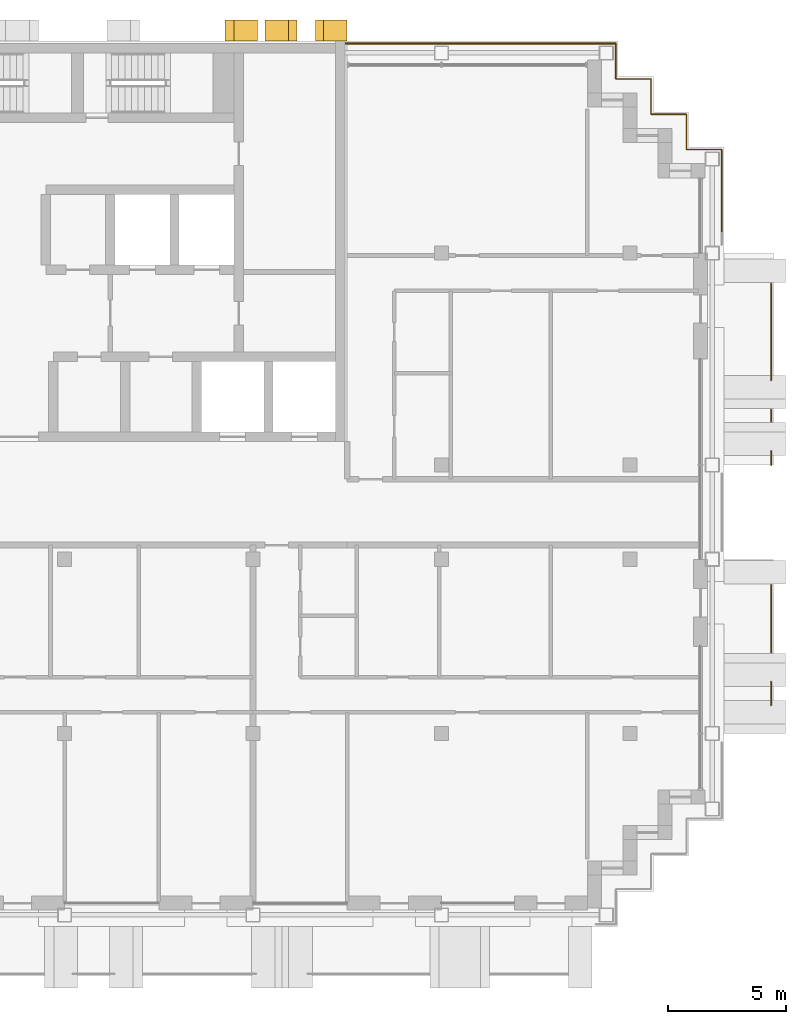
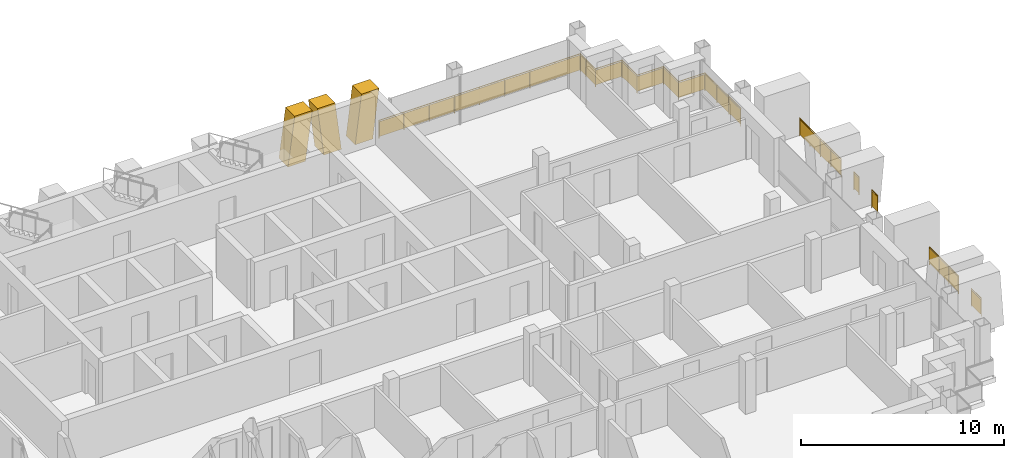
# One storey, part 15 of 15: 7 railings, 3 shading devices.
"""IFC4 building model written with IfcOpenShell, lengths in metres."""

from ifc_helpers import new_model, si_unit, direction, frame, origin, origin_2d, place, context, subcontext, project, spatial, polyline, rectangle, circle, outline, extrude, material, layer, layer_set, type_object, element, save


model = new_model("IFC4")

# Units and contexts
model_context = context("Model", 3, precision=1e-05, world=origin(), true_north=direction((0.0, 1.0)))
body_context = subcontext(model_context, "Body", "Model", "MODEL_VIEW")
ifc_project = project(units=[si_unit("LENGTHUNIT", "METRE"), si_unit("AREAUNIT", "SQUARE_METRE"), si_unit("VOLUMEUNIT", "CUBIC_METRE"), si_unit("PLANEANGLEUNIT", "RADIAN"), si_unit("MASSUNIT", "GRAM", prefix="KILO")], contexts=[model_context])

# Site, building, storey
site_placement = place(None, origin())
site = spatial("IfcSite", under=ifc_project, at=site_placement, CompositionType="ELEMENT")
building_placement = place(site_placement, origin())
building = spatial("IfcBuilding", under=site, at=building_placement, Name="Vidyagriha Tower", CompositionType="ELEMENT")
storey_placement = place(building_placement, frame((0.0, 0.0, 226.800048828125)))
storey = spatial("IfcBuildingStorey", under=building, at=storey_placement, Name="L59", CompositionType="ELEMENT", Elevation=226.800048828125)

# Railings
ifc_material_1 = material(Name="Steel ASTM A500 Grade C black painted", Category="steel")
railing_type_1 = type_object("IfcRailingType", Name="Balcony guard 1100", PredefinedType="BALUSTRADE", material=ifc_material_1)
railing_1_placement = place(storey_placement, frame((32.0, -8.19677734375, 0.0)))
element("IfcRailing", 1, at=railing_1_placement, inside=storey, type_object=railing_type_1, Name="Balcony guard L59 R30.1-1", PredefinedType="BALUSTRADE", context=body_context, shape_type="SweptSolid", body=[
    extrude(circle(Radius=0.02490234375, at=origin_2d()), frame((0.0, 0.0, 1.0751953125), z_axis=(0.0, 1.0, 0.0), x_axis=(-1.0, 0.0, 0.0)), (0.0, 0.0, 1.0), 0.993408203125),
    extrude(circle(Radius=0.02001953125, at=origin_2d()), origin(), (0.0, 0.0, 1.0), 1.050048828125),
    extrude(circle(Radius=0.02001953125, at=origin_2d()), frame((0.0, 0.993408203125, 0.0)), (0.0, 0.0, 1.0), 1.050048828125),
    extrude(rectangle(XDim=0.010009765625, YDim=0.900146484375, at=origin_2d()), frame((0.0, 0.0, 0.550048828125), z_axis=(0.0, 1.0, 0.0), x_axis=(-1.0, 0.0, 0.0)), (0.0, 0.0, 1.0), 0.993408203125),
])
railing_2_placement = place(storey_placement, frame((32.0, -5.949951171875, 0.0)))
element("IfcRailing", 2, at=railing_2_placement, inside=storey, type_object=railing_type_1, Name="Balcony guard L59 R30.1-2", PredefinedType="BALUSTRADE", context=body_context, shape_type="SweptSolid", body=[
    extrude(circle(Radius=0.02490234375, at=origin_2d()), frame((0.0, 0.0, 1.0751953125), z_axis=(0.0, 1.0, 0.0), x_axis=(-1.0, 0.0, 0.0)), (0.0, 0.0, 1.0), 2.849853515625),
    extrude(circle(Radius=0.02001953125, at=origin_2d()), origin(), (0.0, 0.0, 1.0), 1.050048828125),
    extrude(circle(Radius=0.02001953125, at=origin_2d()), frame((0.0, 0.949951171875, 0.0)), (0.0, 0.0, 1.0), 1.050048828125),
    extrude(circle(Radius=0.02001953125, at=origin_2d()), frame((0.0, 1.89990234375, 0.0)), (0.0, 0.0, 1.0), 1.050048828125),
    extrude(circle(Radius=0.02001953125, at=origin_2d()), frame((0.0, 2.849853515625, 0.0)), (0.0, 0.0, 1.0), 1.050048828125),
    extrude(rectangle(XDim=0.010009765625, YDim=0.900146484375, at=origin_2d()), frame((0.0, 0.0, 0.550048828125), z_axis=(0.0, 1.0, 0.0), x_axis=(-1.0, 0.0, 0.0)), (0.0, 0.0, 1.0), 2.849853515625),
])
railing_3_placement = place(storey_placement, frame((32.0, 2.0, 0.0)))
element("IfcRailing", 3, at=railing_3_placement, inside=storey, type_object=railing_type_1, Name="Balcony guard L59 R30.2-1", PredefinedType="BALUSTRADE", context=body_context, shape_type="SweptSolid", body=[
    extrude(circle(Radius=0.02490234375, at=origin_2d()), frame((0.0, 0.0, 1.0751953125), z_axis=(0.0, 1.0, 0.0), x_axis=(-1.0, 0.0, 0.0)), (0.0, 0.0, 1.0), 0.5966796875),
    extrude(circle(Radius=0.02001953125, at=origin_2d()), origin(), (0.0, 0.0, 1.0), 1.050048828125),
    extrude(circle(Radius=0.02001953125, at=origin_2d()), frame((0.0, 0.5966796875, 0.0)), (0.0, 0.0, 1.0), 1.050048828125),
    extrude(rectangle(XDim=0.010009765625, YDim=0.900146484375, at=origin_2d()), frame((0.0, 0.0, 0.550048828125), z_axis=(0.0, 1.0, 0.0), x_axis=(-1.0, 0.0, 0.0)), (0.0, 0.0, 1.0), 0.5966796875),
])
railing_4_placement = place(storey_placement, frame((32.0, 3.85009765625, 0.0)))
element("IfcRailing", 4, at=railing_4_placement, inside=storey, type_object=railing_type_1, Name="Balcony guard L59 R30.2-2", PredefinedType="BALUSTRADE", context=body_context, shape_type="SweptSolid", body=[
    extrude(circle(Radius=0.02490234375, at=origin_2d()), frame((0.0, 0.0, 1.0751953125), z_axis=(0.0, 1.0, 0.0), x_axis=(-1.0, 0.0, 0.0)), (0.0, 0.0, 1.0), 0.5),
    extrude(circle(Radius=0.02001953125, at=origin_2d()), origin(), (0.0, 0.0, 1.0), 1.050048828125),
    extrude(circle(Radius=0.02001953125, at=origin_2d()), frame((0.0, 0.5, 0.0)), (0.0, 0.0, 1.0), 1.050048828125),
    extrude(rectangle(XDim=0.010009765625, YDim=0.900146484375, at=origin_2d()), frame((0.0, 0.0, 0.550048828125), z_axis=(0.0, 1.0, 0.0), x_axis=(-1.0, 0.0, 0.0)), (0.0, 0.0, 1.0), 0.5),
])
railing_5_placement = place(storey_placement, frame((32.0, 5.603271484375, 0.0)))
element("IfcRailing", 5, at=railing_5_placement, inside=storey, type_object=railing_type_1, Name="Balcony guard L59 R30.2-3", PredefinedType="BALUSTRADE", context=body_context, shape_type="SweptSolid", body=[
    extrude(circle(Radius=0.02490234375, at=origin_2d()), frame((0.0, 0.0, 1.0751953125), z_axis=(0.0, 1.0, 0.0), x_axis=(-1.0, 0.0, 0.0)), (0.0, 0.0, 1.0), 4.0966796875),
    extrude(circle(Radius=0.02001953125, at=origin_2d()), origin(), (0.0, 0.0, 1.0), 1.050048828125),
    extrude(circle(Radius=0.02001953125, at=origin_2d()), frame((0.0, 1.024169921875, 0.0)), (0.0, 0.0, 1.0), 1.050048828125),
    extrude(circle(Radius=0.02001953125, at=origin_2d()), frame((0.0, 2.04833984375, 0.0)), (0.0, 0.0, 1.0), 1.050048828125),
    extrude(circle(Radius=0.02001953125, at=origin_2d()), frame((0.0, 3.072509765625, 0.0)), (0.0, 0.0, 1.0), 1.050048828125),
    extrude(circle(Radius=0.02001953125, at=origin_2d()), frame((0.0, 4.0966796875, 0.0)), (0.0, 0.0, 1.0), 1.050048828125),
    extrude(rectangle(XDim=0.010009765625, YDim=0.900146484375, at=origin_2d()), frame((0.0, 0.0, 0.550048828125), z_axis=(0.0, 1.0, 0.0), x_axis=(-1.0, 0.0, 0.0)), (0.0, 0.0, 1.0), 4.0966796875),
])

# Shading devices
ifc_material_2 = material(Name="Precast concrete C40/50 with brick facing", Category="concrete")
ifc_layer = layer(ifc_material_2, 1.0)
ifc_layer_set = layer_set([ifc_layer], Name="Precast concrete C40/50 with brick facing")
shading_device_type = type_object("IfcShadingDeviceType", Name="Brick-faced rear rib arm leaning 8 degrees", PredefinedType="USERDEFINED", material=ifc_layer_set)
shading_device_1_placement = place(storey_placement, frame((11.857177734375, 20.449951171875, 0.0), z_axis=(0.0, 0.0, 1.0), x_axis=(-1.0, 0.0, 0.0)))
element("IfcShadingDevice", 6, at=shading_device_1_placement, inside=storey, type_object=shading_device_type, Name="Rear rib arm L59 R08.1a", ObjectType="BLADE FIN", PredefinedType="USERDEFINED", context=body_context, shape_type="SweptSolid", body=[
    extrude(outline(polyline([(0.0, 0.0), (1.0, 0.0), (1.357177734375, 2.919921875), (0.357177734375, 2.919921875), (0.0, 0.0)])), frame((0.0, 0.449951171875, 0.0), z_axis=(0.0, -1.0, 0.0), x_axis=(1.0, 0.0, 0.0)), (0.0, 0.0, 1.0), 0.89990234375),
])
shading_device_2_placement = place(storey_placement, frame((14.0, 20.449951171875, 0.0), z_axis=(0.0, 0.0, 1.0), x_axis=(-1.0, 0.0, 0.0)))
element("IfcShadingDevice", 7, at=shading_device_2_placement, inside=storey, type_object=shading_device_type, Name="Rear rib arm L59 R08.1b", ObjectType="BLADE FIN", PredefinedType="USERDEFINED", context=body_context, shape_type="SweptSolid", body=[
    extrude(outline(polyline([(0.357177734375, 0.0), (1.357177734375, 0.0), (1.0, 2.919921875), (0.0, 2.919921875), (0.357177734375, 0.0)])), frame((0.0, 0.449951171875, 0.0), z_axis=(0.0, -1.0, 0.0), x_axis=(1.0, 0.0, 0.0)), (0.0, 0.0, 1.0), 0.89990234375),
])
shading_device_3_placement = place(storey_placement, frame((10.199951171875, 20.449951171875, 0.0), z_axis=(0.0, 0.0, 1.0), x_axis=(-1.0, 0.0, 0.0)))
element("IfcShadingDevice", 8, at=shading_device_3_placement, inside=storey, type_object=shading_device_type, Name="Rear rib arm L59 R08.2b", ObjectType="BLADE FIN", PredefinedType="USERDEFINED", context=body_context, shape_type="SweptSolid", body=[
    extrude(outline(polyline([(0.3857421875, 0.0), (1.3857421875, 0.0), (1.0, 2.919921875), (0.0, 2.919921875), (0.3857421875, 0.0)])), frame((0.0, 0.449951171875, 0.0), z_axis=(0.0, -1.0, 0.0), x_axis=(1.0, 0.0, 0.0)), (0.0, 0.0, 1.0), 0.89990234375),
])

# Railings
ifc_material_3 = material(Name="Steel ASTM A500 Grade C black painted", Category="steel")
railing_type_2 = type_object("IfcRailingType", Name="Gallery guard 1100", PredefinedType="GUARDRAIL", material=ifc_material_3)
railing_6_placement = place(storey_placement, frame((13.929931640625, 19.89990234375, 0.0)))
element("IfcRailing", 9, at=railing_6_placement, inside=storey, type_object=railing_type_2, Name="Gallery guard L59 7", PredefinedType="GUARDRAIL", context=body_context, shape_type="SweptSolid", body=[
    extrude(circle(Radius=0.02490234375, at=origin_2d()), frame((0.0, 0.0, 1.0751953125), z_axis=(1.0, 0.0, 0.0), x_axis=(0.0, 1.0, 0.0)), (0.0, 0.0, 1.0), 11.469970703125),
    extrude(circle(Radius=0.02490234375, at=origin_2d()), frame((11.469970703125, 0.0, 1.0751953125), z_axis=(0.0, -1.0, 0.0), x_axis=(1.0, 0.0, 0.0)), (0.0, 0.0, 1.0), 0.52978515625),
    extrude(circle(Radius=0.02001953125, at=origin_2d()), origin(), (0.0, 0.0, 1.0), 1.050048828125),
    extrude(circle(Radius=0.02001953125, at=origin_2d()), frame((1.433837890625, 0.0, 0.0)), (0.0, 0.0, 1.0), 1.050048828125),
    extrude(circle(Radius=0.02001953125, at=origin_2d()), frame((2.867431640625, 0.0, 0.0)), (0.0, 0.0, 1.0), 1.050048828125),
    extrude(circle(Radius=0.02001953125, at=origin_2d()), frame((4.30126953125, 0.0, 0.0)), (0.0, 0.0, 1.0), 1.050048828125),
    extrude(circle(Radius=0.02001953125, at=origin_2d()), frame((5.73486328125, 0.0, 0.0)), (0.0, 0.0, 1.0), 1.050048828125),
    extrude(circle(Radius=0.02001953125, at=origin_2d()), frame((7.168701171875, 0.0, 0.0)), (0.0, 0.0, 1.0), 1.050048828125),
    extrude(circle(Radius=0.02001953125, at=origin_2d()), frame((8.6025390625, 0.0, 0.0)), (0.0, 0.0, 1.0), 1.050048828125),
    extrude(circle(Radius=0.02001953125, at=origin_2d()), frame((10.0361328125, 0.0, 0.0)), (0.0, 0.0, 1.0), 1.050048828125),
    extrude(circle(Radius=0.02001953125, at=origin_2d()), frame((11.469970703125, 0.0, 0.0)), (0.0, 0.0, 1.0), 1.050048828125),
    extrude(circle(Radius=0.02001953125, at=origin_2d()), frame((11.469970703125, -0.52978515625, 0.0)), (0.0, 0.0, 1.0), 1.050048828125),
    extrude(rectangle(XDim=0.010009765625, YDim=0.900146484375, at=origin_2d()), frame((0.0, 0.0, 0.550048828125), z_axis=(1.0, 0.0, 0.0), x_axis=(0.0, 1.0, 0.0)), (0.0, 0.0, 1.0), 11.469970703125),
    extrude(rectangle(XDim=0.010009765625, YDim=0.900146484375, at=origin_2d()), frame((11.469970703125, 0.0, 0.550048828125), z_axis=(0.0, -1.0, 0.0), x_axis=(1.0, 0.0, 0.0)), (0.0, 0.0, 1.0), 0.52978515625),
])
railing_7_placement = place(storey_placement, frame((25.39990234375, 19.3701171875, 0.0)))
element("IfcRailing", 10, at=railing_7_placement, inside=storey, type_object=railing_type_2, Name="Gallery guard L59 8", PredefinedType="GUARDRAIL", context=body_context, shape_type="SweptSolid", body=[
    extrude(circle(Radius=0.02490234375, at=origin_2d()), frame((0.0, 0.0, 1.0751953125), z_axis=(0.0, -1.0, 0.0), x_axis=(1.0, 0.0, 0.0)), (0.0, 0.0, 1.0), 0.97021484375),
    extrude(circle(Radius=0.02490234375, at=origin_2d()), frame((0.0, -0.97021484375, 1.0751953125), z_axis=(1.0, 0.0, 0.0), x_axis=(0.0, 1.0, 0.0)), (0.0, 0.0, 1.0), 1.5),
    extrude(circle(Radius=0.02490234375, at=origin_2d()), frame((1.5, -0.97021484375, 1.0751953125), z_axis=(0.0, -1.0, 0.0), x_axis=(1.0, 0.0, 0.0)), (0.0, 0.0, 1.0), 1.5),
    extrude(circle(Radius=0.02490234375, at=origin_2d()), frame((1.5, -2.47021484375, 1.0751953125), z_axis=(1.0, 0.0, 0.0), x_axis=(0.0, 1.0, 0.0)), (0.0, 0.0, 1.0), 1.5),
    extrude(circle(Radius=0.02490234375, at=origin_2d()), frame((3.0, -2.47021484375, 1.0751953125), z_axis=(0.0, -1.0, 0.0), x_axis=(1.0, 0.0, 0.0)), (0.0, 0.0, 1.0), 1.5),
    extrude(circle(Radius=0.02490234375, at=origin_2d()), frame((3.0, -3.97021484375, 1.0751953125), z_axis=(1.0, 0.0, 0.0), x_axis=(0.0, 1.0, 0.0)), (0.0, 0.0, 1.0), 1.5),
    extrude(circle(Radius=0.02490234375, at=origin_2d()), frame((4.5, -3.97021484375, 1.0751953125), z_axis=(0.0, -1.0, 0.0), x_axis=(1.0, 0.0, 0.0)), (0.0, 0.0, 1.0), 3.52978515625),
    extrude(circle(Radius=0.02001953125, at=origin_2d()), origin(), (0.0, 0.0, 1.0), 1.050048828125),
    extrude(circle(Radius=0.02001953125, at=origin_2d()), frame((0.0, -0.97021484375, 0.0)), (0.0, 0.0, 1.0), 1.050048828125),
    extrude(circle(Radius=0.02001953125, at=origin_2d()), frame((1.5, -0.97021484375, 0.0)), (0.0, 0.0, 1.0), 1.050048828125),
    extrude(circle(Radius=0.02001953125, at=origin_2d()), frame((1.5, -2.47021484375, 0.0)), (0.0, 0.0, 1.0), 1.050048828125),
    extrude(circle(Radius=0.02001953125, at=origin_2d()), frame((3.0, -2.47021484375, 0.0)), (0.0, 0.0, 1.0), 1.050048828125),
    extrude(circle(Radius=0.02001953125, at=origin_2d()), frame((3.0, -3.97021484375, 0.0)), (0.0, 0.0, 1.0), 1.050048828125),
    extrude(circle(Radius=0.02001953125, at=origin_2d()), frame((4.5, -3.97021484375, 0.0)), (0.0, 0.0, 1.0), 1.050048828125),
    extrude(circle(Radius=0.02001953125, at=origin_2d()), frame((4.5, -5.146728515625, 0.0)), (0.0, 0.0, 1.0), 1.050048828125),
    extrude(circle(Radius=0.02001953125, at=origin_2d()), frame((4.5, -6.323486328125, 0.0)), (0.0, 0.0, 1.0), 1.050048828125),
    extrude(circle(Radius=0.02001953125, at=origin_2d()), frame((4.5, -7.5, 0.0)), (0.0, 0.0, 1.0), 1.050048828125),
    extrude(rectangle(XDim=0.010009765625, YDim=0.900146484375, at=origin_2d()), frame((0.0, 0.0, 0.550048828125), z_axis=(0.0, -1.0, 0.0), x_axis=(1.0, 0.0, 0.0)), (0.0, 0.0, 1.0), 0.97021484375),
    extrude(rectangle(XDim=0.010009765625, YDim=0.900146484375, at=origin_2d()), frame((0.0, -0.97021484375, 0.550048828125), z_axis=(1.0, 0.0, 0.0), x_axis=(0.0, 1.0, 0.0)), (0.0, 0.0, 1.0), 1.5),
    extrude(rectangle(XDim=0.010009765625, YDim=0.900146484375, at=origin_2d()), frame((1.5, -0.97021484375, 0.550048828125), z_axis=(0.0, -1.0, 0.0), x_axis=(1.0, 0.0, 0.0)), (0.0, 0.0, 1.0), 1.5),
    extrude(rectangle(XDim=0.010009765625, YDim=0.900146484375, at=origin_2d()), frame((1.5, -2.47021484375, 0.550048828125), z_axis=(1.0, 0.0, 0.0), x_axis=(0.0, 1.0, 0.0)), (0.0, 0.0, 1.0), 1.5),
    extrude(rectangle(XDim=0.010009765625, YDim=0.900146484375, at=origin_2d()), frame((3.0, -2.47021484375, 0.550048828125), z_axis=(0.0, -1.0, 0.0), x_axis=(1.0, 0.0, 0.0)), (0.0, 0.0, 1.0), 1.5),
    extrude(rectangle(XDim=0.010009765625, YDim=0.900146484375, at=origin_2d()), frame((3.0, -3.97021484375, 0.550048828125), z_axis=(1.0, 0.0, 0.0), x_axis=(0.0, 1.0, 0.0)), (0.0, 0.0, 1.0), 1.5),
    extrude(rectangle(XDim=0.010009765625, YDim=0.900146484375, at=origin_2d()), frame((4.5, -3.97021484375, 0.550048828125), z_axis=(0.0, -1.0, 0.0), x_axis=(1.0, 0.0, 0.0)), (0.0, 0.0, 1.0), 3.52978515625),
])

save(model, "model.ifc")
